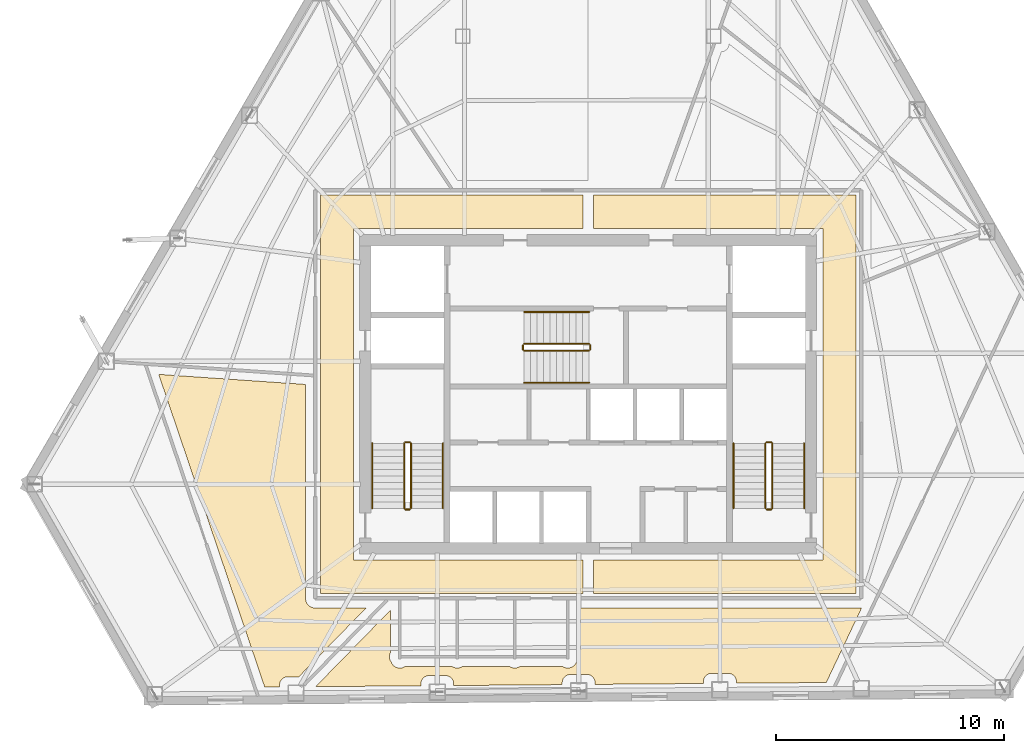
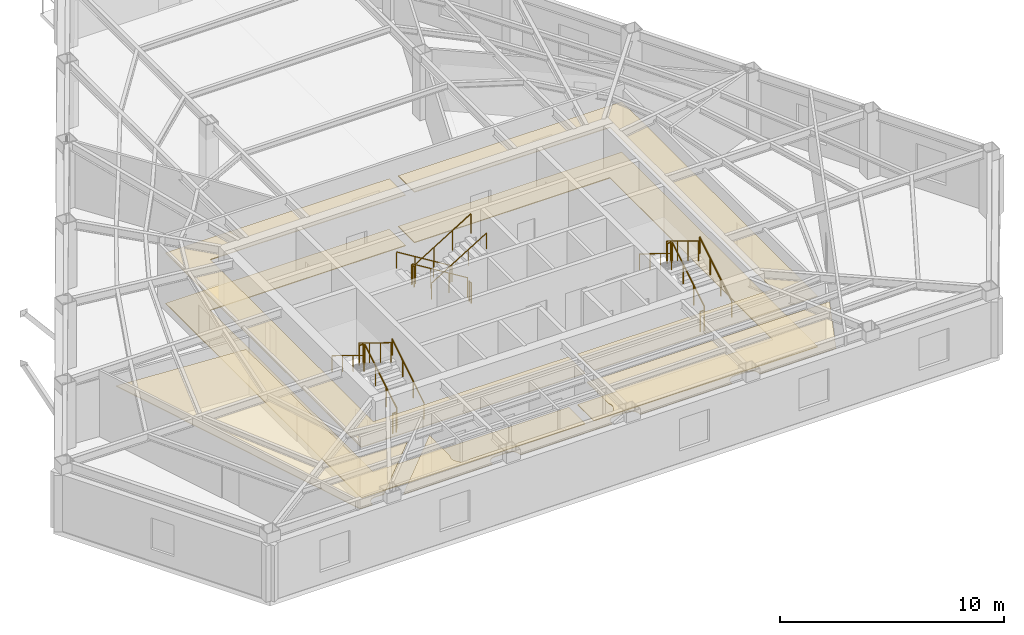
# One storey, part 11 of 12: 18 railings, 6 coverings.
"""IFC4 building model written with IfcOpenShell, lengths in metres."""

from ifc_helpers import new_model, si_unit, direction, frame, origin, origin_2d, place, context, subcontext, project, spatial, polyline, circle, outline, extrude, material, layer, layer_set, type_object, element, save


model = new_model("IFC4")

# Units and contexts
model_context = context("Model", 3, precision=1e-05, world=origin(), true_north=direction((0.0, 1.0)))
body_context = subcontext(model_context, "Body", "Model", "MODEL_VIEW")
ifc_project = project(units=[si_unit("LENGTHUNIT", "METRE"), si_unit("AREAUNIT", "SQUARE_METRE"), si_unit("VOLUMEUNIT", "CUBIC_METRE"), si_unit("PLANEANGLEUNIT", "RADIAN"), si_unit("MASSUNIT", "GRAM", prefix="KILO")], contexts=[model_context])

# Site, building, storey
site_placement = place(None, origin())
site = spatial("IfcSite", under=ifc_project, at=site_placement, CompositionType="ELEMENT")
building_placement = place(site_placement, origin())
building = spatial("IfcBuilding", under=site, at=building_placement, Name="Kavelnor Concourse Tower", CompositionType="ELEMENT")
storey_placement = place(building_placement, frame((0.0, 0.0, 147.10009765625)))
storey = spatial("IfcBuildingStorey", under=building, at=storey_placement, Name="L37", CompositionType="ELEMENT", Elevation=147.10009765625)

# Coverings
ifc_material_1 = material(Name="Mineral fibre acoustic ceiling tile")
ifc_layer_1 = layer(ifc_material_1, 0.0400390625, Name="Mineral fibre acoustic ceiling tile")
ifc_layer_set_1 = layer_set([ifc_layer_1], Name="Mineral fibre acoustic ceiling tile")
covering_type_1 = type_object("IfcCoveringType", Name="COV-CEILING-ACOUSTIC", PredefinedType="CEILING", material=ifc_layer_set_1)
covering_1_placement = place(storey_placement, frame((0.0, 0.0, 2.75)))
element("IfcCovering", 1, at=covering_1_placement, inside=storey, type_object=covering_type_1, Name="L37 Suspended Acoustic Ceiling", PredefinedType="CEILING", context=body_context, shape_type="SweptSolid", body=[
    extrude(outline(polyline([(26.25, 7.3701171875), (26.25, 24.830078125), (37.77490234375, 24.830078125), (37.77490234375, 23.3701171875), (27.7099609375, 23.3701171875), (27.7099609375, 8.830078125), (37.77490234375, 8.830078125), (37.77490234375, 7.3701171875), (26.25, 7.3701171875)])), origin(), (0.0, 0.0, 1.0), 0.039794921875),
])
covering_2_placement = place(storey_placement, frame((0.0, 0.0, 2.75)))
element("IfcCovering", 2, at=covering_2_placement, inside=storey, type_object=covering_type_1, Name="L37 Suspended Acoustic Ceiling", PredefinedType="CEILING", context=body_context, shape_type="SweptSolid", body=[
    extrude(outline(polyline([(49.75, 7.3701171875), (38.22509765625, 7.3701171875), (38.22509765625, 8.830078125), (48.2900390625, 8.830078125), (48.2900390625, 23.3701171875), (38.22509765625, 23.3701171875), (38.22509765625, 24.830078125), (49.75, 24.830078125), (49.75, 7.3701171875)])), origin(), (0.0, 0.0, 1.0), 0.039794921875),
])
covering_3_placement = place(storey_placement, frame((0.0, 0.0, 2.75)))
element("IfcCovering", 3, at=covering_3_placement, inside=storey, type_object=covering_type_1, Name="L37 Suspended Acoustic Ceiling", PredefinedType="CEILING", context=body_context, shape_type="SweptSolid", body=[
    extrude(outline(polyline([(25.609130859375, 7.1083984375), (25.615234375, 7.0673828125), (25.625244140625, 7.027099609375), (25.639404296875, 6.98828125), (25.656982421875, 6.95068359375), (25.678466796875, 6.9150390625), (25.703125, 6.881591796875), (25.73095703125, 6.85107421875), (25.76171875, 6.822998046875), (25.794921875, 6.79833984375), (25.83056640625, 6.777099609375), (25.8681640625, 6.75927734375), (25.9072265625, 6.745361328125), (25.947509765625, 6.735107421875), (25.988525390625, 6.72900390625), (26.021728515625, 6.7275390625), (28.2568359375, 6.7275390625), (25.31005859375, 3.71337890625), (24.818115234375, 3.71337890625), (24.791259765625, 3.7119140625), (24.756103515625, 3.706787109375), (24.721923828125, 3.6982421875), (24.688720703125, 3.686279296875), (24.656494140625, 3.671142578125), (24.626220703125, 3.653076171875), (24.597900390625, 3.6318359375), (24.57177734375, 3.608154296875), (24.5478515625, 3.581787109375), (24.52685546875, 3.553466796875), (24.508544921875, 3.523193359375), (24.493408203125, 3.4912109375), (24.481689453125, 3.4580078125), (24.472900390625, 3.423583984375), (24.4677734375, 3.388671875), (24.466552734375, 3.361572265625), (24.466552734375, 3.267578125), (23.814208984375, 3.26220703125), (19.166015625, 16.9736328125), (25.607421875, 16.53271484375), (25.607421875, 7.1416015625), (25.609130859375, 7.1083984375)])), origin(), (0.0, 0.0, 1.0), 0.039794921875),
])
covering_4_placement = place(storey_placement, frame((0.0, 0.0, 2.75)))
element("IfcCovering", 4, at=covering_4_placement, inside=storey, type_object=covering_type_1, Name="L37 Suspended Acoustic Ceiling", PredefinedType="CEILING", context=body_context, shape_type="SweptSolid", body=[
    extrude(outline(polyline([(29.3349609375, 6.64306640625), (29.3349609375, 4.79541015625), (29.33251953125, 4.791015625), (29.3154296875, 4.755126953125), (29.302001953125, 4.7177734375), (29.29248046875, 4.67919921875), (29.28662109375, 4.6396484375), (29.28466796875, 4.60009765625), (29.28662109375, 4.560302734375), (29.29248046875, 4.52099609375), (29.302001953125, 4.482421875), (29.3154296875, 4.44482421875), (29.33251953125, 4.408935546875), (29.352783203125, 4.374755859375), (29.3564453125, 4.3701171875), (29.365478515625, 4.344970703125), (29.382568359375, 4.308837890625), (29.40283203125, 4.27490234375), (29.426513671875, 4.242919921875), (29.453369140625, 4.21337890625), (29.48291015625, 4.1865234375), (29.514892578125, 4.162841796875), (29.548828125, 4.142578125), (29.5849609375, 4.12548828125), (29.622314453125, 4.112060546875), (29.660888671875, 4.102294921875), (29.7001953125, 4.096435546875), (29.739990234375, 4.094482421875), (29.77978515625, 4.096435546875), (29.819091796875, 4.102294921875), (29.857666015625, 4.112060546875), (29.89501953125, 4.12548828125), (29.93115234375, 4.142578125), (29.96044921875, 4.159912109375), (32.03955078125, 4.159912109375), (32.06884765625, 4.142578125), (32.10498046875, 4.12548828125), (32.142333984375, 4.112060546875), (32.180908203125, 4.102294921875), (32.22021484375, 4.096435546875), (32.260009765625, 4.094482421875), (32.2998046875, 4.096435546875), (32.339111328125, 4.102294921875), (32.377685546875, 4.112060546875), (32.4150390625, 4.12548828125), (32.451171875, 4.142578125), (32.48046875, 4.159912109375), (34.5595703125, 4.159912109375), (34.5888671875, 4.142578125), (34.625, 4.12548828125), (34.662353515625, 4.112060546875), (34.700927734375, 4.102294921875), (34.740234375, 4.096435546875), (34.780029296875, 4.094482421875), (34.819580078125, 4.096435546875), (34.859130859375, 4.102294921875), (34.897705078125, 4.112060546875), (34.93505859375, 4.12548828125), (34.97119140625, 4.142578125), (35.00048828125, 4.159912109375), (36.879638671875, 4.159912109375), (36.908935546875, 4.142578125), (36.94482421875, 4.12548828125), (36.982421875, 4.112060546875), (37.02099609375, 4.102294921875), (37.060302734375, 4.096435546875), (37.10009765625, 4.094482421875), (37.1396484375, 4.096435546875), (37.17919921875, 4.102294921875), (37.2177734375, 4.112060546875), (37.255126953125, 4.12548828125), (37.291015625, 4.142578125), (37.3251953125, 4.162841796875), (37.357177734375, 4.1865234375), (37.38671875, 4.21337890625), (37.413330078125, 4.242919921875), (37.43701171875, 4.27490234375), (37.45751953125, 4.308837890625), (37.474609375, 4.344970703125), (37.4833984375, 4.3701171875), (37.487060546875, 4.374755859375), (37.507568359375, 4.408935546875), (37.524658203125, 4.44482421875), (37.5380859375, 4.482421875), (37.547607421875, 4.52099609375), (37.553466796875, 4.560302734375), (37.555419921875, 4.60009765625), (37.553466796875, 4.6396484375), (37.547607421875, 4.67919921875), (37.5380859375, 4.7177734375), (37.524658203125, 4.755126953125), (37.507568359375, 4.791015625), (37.5048828125, 4.79541015625), (37.5048828125, 6.7275390625), (49.978271484375, 6.7275390625), (49.985595703125, 6.727783203125), (48.43896484375, 3.4609375), (44.495361328125, 3.42919921875), (44.495361328125, 3.51171875), (44.494140625, 3.53857421875), (44.489013671875, 3.573486328125), (44.480224609375, 3.60791015625), (44.468505859375, 3.64111328125), (44.453369140625, 3.673095703125), (44.43505859375, 3.70361328125), (44.4140625, 3.73193359375), (44.39013671875, 3.758056640625), (44.364013671875, 3.781982421875), (44.335693359375, 3.802978515625), (44.305419921875, 3.8212890625), (44.273193359375, 3.836181640625), (44.239990234375, 3.84814453125), (44.205810546875, 3.856689453125), (44.170654296875, 3.862060546875), (44.143798828125, 3.86328125), (43.406982421875, 3.86328125), (43.380126953125, 3.862060546875), (43.34521484375, 3.856689453125), (43.310791015625, 3.84814453125), (43.277587890625, 3.836181640625), (43.24560546875, 3.8212890625), (43.215087890625, 3.802978515625), (43.186767578125, 3.781982421875), (43.16064453125, 3.758056640625), (43.13671875, 3.73193359375), (43.11572265625, 3.70361328125), (43.097412109375, 3.673095703125), (43.08251953125, 3.64111328125), (43.070556640625, 3.60791015625), (43.06201171875, 3.573486328125), (43.056640625, 3.53857421875), (43.055419921875, 3.51171875), (43.055419921875, 3.41748046875), (38.299072265625, 3.379150390625), (38.299072265625, 3.461669921875), (38.2978515625, 3.488525390625), (38.29248046875, 3.523681640625), (38.283935546875, 3.557861328125), (38.272216796875, 3.59130859375), (38.257080078125, 3.623291015625), (38.23876953125, 3.653564453125), (38.2177734375, 3.681884765625), (38.19384765625, 3.7080078125), (38.167724609375, 3.73193359375), (38.139404296875, 3.7529296875), (38.10888671875, 3.771240234375), (38.076904296875, 3.786376953125), (38.043701171875, 3.798095703125), (38.009521484375, 3.806884765625), (37.974365234375, 3.81201171875), (37.947509765625, 3.813232421875), (37.210693359375, 3.813232421875), (37.183837890625, 3.81201171875), (37.148681640625, 3.806884765625), (37.114501953125, 3.798095703125), (37.081298828125, 3.786376953125), (37.04931640625, 3.771240234375), (37.018798828125, 3.7529296875), (36.990478515625, 3.73193359375), (36.96435546875, 3.7080078125), (36.9404296875, 3.681884765625), (36.91943359375, 3.653564453125), (36.901123046875, 3.623291015625), (36.885986328125, 3.59130859375), (36.874267578125, 3.557861328125), (36.865478515625, 3.523681640625), (36.8603515625, 3.488525390625), (36.859130859375, 3.461669921875), (36.859130859375, 3.367431640625), (32.102783203125, 3.3291015625), (32.102783203125, 3.41162109375), (32.1015625, 3.438720703125), (32.09619140625, 3.4736328125), (32.087646484375, 3.5078125), (32.07568359375, 3.541259765625), (32.060791015625, 3.5732421875), (32.04248046875, 3.603515625), (32.021484375, 3.6318359375), (31.99755859375, 3.658203125), (31.971435546875, 3.681884765625), (31.943115234375, 3.702880859375), (31.91259765625, 3.72119140625), (31.880615234375, 3.736328125), (31.847412109375, 3.748291015625), (31.81298828125, 3.7568359375), (31.778076171875, 3.761962890625), (31.751220703125, 3.76318359375), (31.014404296875, 3.76318359375), (30.987548828125, 3.761962890625), (30.952392578125, 3.7568359375), (30.918212890625, 3.748291015625), (30.885009765625, 3.736328125), (30.852783203125, 3.72119140625), (30.822509765625, 3.702880859375), (30.794189453125, 3.681884765625), (30.76806640625, 3.658203125), (30.744140625, 3.6318359375), (30.72314453125, 3.603515625), (30.704833984375, 3.5732421875), (30.689697265625, 3.541259765625), (30.677978515625, 3.5078125), (30.669189453125, 3.4736328125), (30.6640625, 3.438720703125), (30.662841796875, 3.41162109375), (30.662841796875, 3.3173828125), (26.04736328125, 3.2802734375), (29.3349609375, 6.64306640625)])), origin(), (0.0, 0.0, 1.0), 0.039794921875),
])
ifc_material_2 = material(Name="Honed bluestone and raised access floor finish", Category="masonry")
ifc_layer_2 = layer(ifc_material_2, 0.0400390625, Name="Honed bluestone and raised access floor finish")
ifc_layer_set_2 = layer_set([ifc_layer_2], Name="Honed bluestone and raised access floor finish")
covering_type_2 = type_object("IfcCoveringType", Name="COV-FLOOR-STONE", PredefinedType="FLOORING", material=ifc_layer_set_2)
covering_5_placement = place(storey_placement, frame((0.0, 0.0, 0.001953125)))
element("IfcCovering", 5, at=covering_5_placement, inside=storey, type_object=covering_type_2, Name="L37 Honed Bluestone Floor Finish", PredefinedType="FLOORING", context=body_context, shape_type="SweptSolid", body=[
    extrude(outline(polyline([(26.25, 7.3701171875), (26.25, 24.830078125), (37.77490234375, 24.830078125), (37.77490234375, 23.3701171875), (27.7099609375, 23.3701171875), (27.7099609375, 8.830078125), (37.77490234375, 8.830078125), (37.77490234375, 7.3701171875), (26.25, 7.3701171875)])), origin(), (0.0, 0.0, 1.0), 0.0400390625),
])
covering_6_placement = place(storey_placement, frame((0.0, 0.0, 0.001953125)))
element("IfcCovering", 6, at=covering_6_placement, inside=storey, type_object=covering_type_2, Name="L37 Honed Bluestone Floor Finish", PredefinedType="FLOORING", context=body_context, shape_type="SweptSolid", body=[
    extrude(outline(polyline([(49.75, 7.3701171875), (38.22509765625, 7.3701171875), (38.22509765625, 8.830078125), (48.2900390625, 8.830078125), (48.2900390625, 23.3701171875), (38.22509765625, 23.3701171875), (38.22509765625, 24.830078125), (49.75, 24.830078125), (49.75, 7.3701171875)])), origin(), (0.0, 0.0, 1.0), 0.0400390625),
])

# Railings
ifc_material_3 = material(Name="Steel Grade 350", Category="steel")
railing_type_1 = type_object("IfcRailingType", Name="RLG-GUARD-1100", PredefinedType="GUARDRAIL", material=ifc_material_3)
railing_1_placement = place(storey_placement, frame((30.22998046875, 11.10009765625, 0.1748046875)))
element("IfcRailing", 7, at=railing_1_placement, inside=storey, type_object=railing_type_1, Name="L37 ST1 stair guard 1", PredefinedType="GUARDRAIL", context=body_context, shape_type="SweptSolid", body=[
    extrude(circle(Radius=0.02392578125, at=origin_2d()), frame((0.0, 0.0, 1.076171875), z_axis=(0.0, 0.852159232446, 0.523282564737), x_axis=(-1.0, 0.0, 0.0)), (0.0, 0.0, 1.0), 3.34423828125),
    extrude(circle(Radius=0.02099609375, at=origin_2d()), origin(), (0.0, 0.0, 1.0), 1.052001953125),
    extrude(circle(Radius=0.02099609375, at=origin_2d()), frame((0.0, 0.949951171875, 0.583251953125)), (0.0, 0.0, 1.0), 1.052001953125),
    extrude(circle(Radius=0.02099609375, at=origin_2d()), frame((0.0, 1.89990234375, 1.166748046875)), (0.0, 0.0, 1.0), 1.052001953125),
    extrude(circle(Radius=0.02099609375, at=origin_2d()), frame((0.0, 2.849853515625, 1.75)), (0.0, 0.0, 1.0), 1.052001953125),
])
railing_2_placement = place(storey_placement, frame((30.179931640625, 14.0, 1.9248046875)))
element("IfcRailing", 8, at=railing_2_placement, inside=storey, type_object=railing_type_1, Name="L37 ST1 stair guard 2", PredefinedType="GUARDRAIL", context=body_context, shape_type="SweptSolid", body=[
    extrude(circle(Radius=0.02392578125, at=origin_2d()), frame((0.0, 0.0, 1.076171875), z_axis=(-1.0, 0.0, 0.0), x_axis=(0.0, -1.0, 0.0)), (0.0, 0.0, 1.0), 0.199951171875),
    extrude(circle(Radius=0.02099609375, at=origin_2d()), origin(), (0.0, 0.0, 1.0), 1.052001953125),
    extrude(circle(Radius=0.02099609375, at=origin_2d()), frame((-0.199951171875, 0.0, 0.0)), (0.0, 0.0, 1.0), 1.052001953125),
])
railing_3_placement = place(storey_placement, frame((29.929931640625, 13.949951171875, 2.099853515625)))
element("IfcRailing", 9, at=railing_3_placement, inside=storey, type_object=railing_type_1, Name="L37 ST1 stair guard 3", PredefinedType="GUARDRAIL", context=body_context, shape_type="SweptSolid", body=[
    extrude(circle(Radius=0.02392578125, at=origin_2d()), frame((0.0, 0.0, 1.076171875), z_axis=(0.0, -0.852159232446, 0.523282564737), x_axis=(1.0, 0.0, 0.0)), (0.0, 0.0, 1.0), 3.34423828125),
    extrude(circle(Radius=0.02099609375, at=origin_2d()), origin(), (0.0, 0.0, 1.0), 1.052001953125),
    extrude(circle(Radius=0.02099609375, at=origin_2d()), frame((0.0, -0.949951171875, 0.583251953125)), (0.0, 0.0, 1.0), 1.052001953125),
    extrude(circle(Radius=0.02099609375, at=origin_2d()), frame((0.0, -1.89990234375, 1.166748046875)), (0.0, 0.0, 1.0), 1.052001953125),
    extrude(circle(Radius=0.02099609375, at=origin_2d()), frame((0.0, -2.849853515625, 1.75)), (0.0, 0.0, 1.0), 1.052001953125),
])
railing_4_placement = place(storey_placement, frame((30.179931640625, 11.050048828125, 0.0)))
element("IfcRailing", 10, at=railing_4_placement, inside=storey, type_object=railing_type_1, Name="L37 ST1 stair guard 4", PredefinedType="GUARDRAIL", context=body_context, shape_type="SweptSolid", body=[
    extrude(circle(Radius=0.02392578125, at=origin_2d()), frame((0.0, 0.0, 1.076171875), z_axis=(-1.0, 0.0, 0.0), x_axis=(0.0, -1.0, 0.0)), (0.0, 0.0, 1.0), 0.199951171875),
    extrude(circle(Radius=0.02099609375, at=origin_2d()), origin(), (0.0, 0.0, 1.0), 1.052001953125),
    extrude(circle(Radius=0.02099609375, at=origin_2d()), frame((-0.199951171875, 0.0, 0.0)), (0.0, 0.0, 1.0), 1.052001953125),
])
railing_5_placement = place(storey_placement, frame((46.070068359375, 11.10009765625, 0.1748046875)))
element("IfcRailing", 11, at=railing_5_placement, inside=storey, type_object=railing_type_1, Name="L37 ST2 stair guard 1", PredefinedType="GUARDRAIL", context=body_context, shape_type="SweptSolid", body=[
    extrude(circle(Radius=0.02392578125, at=origin_2d()), frame((0.0, 0.0, 1.076171875), z_axis=(0.0, 0.852159232446, 0.523282564737), x_axis=(-1.0, 0.0, 0.0)), (0.0, 0.0, 1.0), 3.34423828125),
    extrude(circle(Radius=0.02099609375, at=origin_2d()), origin(), (0.0, 0.0, 1.0), 1.052001953125),
    extrude(circle(Radius=0.02099609375, at=origin_2d()), frame((0.0, 0.949951171875, 0.583251953125)), (0.0, 0.0, 1.0), 1.052001953125),
    extrude(circle(Radius=0.02099609375, at=origin_2d()), frame((0.0, 1.89990234375, 1.166748046875)), (0.0, 0.0, 1.0), 1.052001953125),
    extrude(circle(Radius=0.02099609375, at=origin_2d()), frame((0.0, 2.849853515625, 1.75)), (0.0, 0.0, 1.0), 1.052001953125),
])
railing_6_placement = place(storey_placement, frame((46.02001953125, 14.0, 1.9248046875)))
element("IfcRailing", 12, at=railing_6_placement, inside=storey, type_object=railing_type_1, Name="L37 ST2 stair guard 2", PredefinedType="GUARDRAIL", context=body_context, shape_type="SweptSolid", body=[
    extrude(circle(Radius=0.02392578125, at=origin_2d()), frame((0.0, 0.0, 1.076171875), z_axis=(-1.0, 0.0, 0.0), x_axis=(0.0, -1.0, 0.0)), (0.0, 0.0, 1.0), 0.199951171875),
    extrude(circle(Radius=0.02099609375, at=origin_2d()), origin(), (0.0, 0.0, 1.0), 1.052001953125),
    extrude(circle(Radius=0.02099609375, at=origin_2d()), frame((-0.199951171875, 0.0, 0.0)), (0.0, 0.0, 1.0), 1.052001953125),
])
railing_7_placement = place(storey_placement, frame((45.77001953125, 13.949951171875, 2.099853515625)))
element("IfcRailing", 13, at=railing_7_placement, inside=storey, type_object=railing_type_1, Name="L37 ST2 stair guard 3", PredefinedType="GUARDRAIL", context=body_context, shape_type="SweptSolid", body=[
    extrude(circle(Radius=0.02392578125, at=origin_2d()), frame((0.0, 0.0, 1.076171875), z_axis=(0.0, -0.852159232446, 0.523282564737), x_axis=(1.0, 0.0, 0.0)), (0.0, 0.0, 1.0), 3.34423828125),
    extrude(circle(Radius=0.02099609375, at=origin_2d()), origin(), (0.0, 0.0, 1.0), 1.052001953125),
    extrude(circle(Radius=0.02099609375, at=origin_2d()), frame((0.0, -0.949951171875, 0.583251953125)), (0.0, 0.0, 1.0), 1.052001953125),
    extrude(circle(Radius=0.02099609375, at=origin_2d()), frame((0.0, -1.89990234375, 1.166748046875)), (0.0, 0.0, 1.0), 1.052001953125),
    extrude(circle(Radius=0.02099609375, at=origin_2d()), frame((0.0, -2.849853515625, 1.75)), (0.0, 0.0, 1.0), 1.052001953125),
])
railing_8_placement = place(storey_placement, frame((46.02001953125, 11.050048828125, 0.0)))
element("IfcRailing", 14, at=railing_8_placement, inside=storey, type_object=railing_type_1, Name="L37 ST2 stair guard 4", PredefinedType="GUARDRAIL", context=body_context, shape_type="SweptSolid", body=[
    extrude(circle(Radius=0.02392578125, at=origin_2d()), frame((0.0, 0.0, 1.076171875), z_axis=(-1.0, 0.0, 0.0), x_axis=(0.0, -1.0, 0.0)), (0.0, 0.0, 1.0), 0.199951171875),
    extrude(circle(Radius=0.02099609375, at=origin_2d()), origin(), (0.0, 0.0, 1.0), 1.052001953125),
    extrude(circle(Radius=0.02099609375, at=origin_2d()), frame((-0.199951171875, 0.0, 0.0)), (0.0, 0.0, 1.0), 1.052001953125),
])
railing_9_placement = place(storey_placement, frame((38.0400390625, 18.31005859375, 0.1748046875)))
element("IfcRailing", 15, at=railing_9_placement, inside=storey, type_object=railing_type_1, Name="L37 ST3 stair guard 1", PredefinedType="GUARDRAIL", context=body_context, shape_type="SweptSolid", body=[
    extrude(circle(Radius=0.02392578125, at=origin_2d()), frame((0.0, 0.0, 1.076171875), z_axis=(-0.852179220489, 0.0, 0.52325001306), x_axis=(0.0, -1.0, 0.0)), (0.0, 0.0, 1.0), 3.344482421875),
    extrude(circle(Radius=0.02099609375, at=origin_2d()), origin(), (0.0, 0.0, 1.0), 1.052001953125),
    extrude(circle(Radius=0.02099609375, at=origin_2d()), frame((-0.949951171875, 0.0, 0.583251953125)), (0.0, 0.0, 1.0), 1.052001953125),
    extrude(circle(Radius=0.02099609375, at=origin_2d()), frame((-1.900146484375, 0.0, 1.166748046875)), (0.0, 0.0, 1.0), 1.052001953125),
    extrude(circle(Radius=0.02099609375, at=origin_2d()), frame((-2.85009765625, 0.0, 1.75)), (0.0, 0.0, 1.0), 1.052001953125),
])
railing_10_placement = place(storey_placement, frame((35.139892578125, 18.260009765625, 1.9248046875)))
element("IfcRailing", 16, at=railing_10_placement, inside=storey, type_object=railing_type_1, Name="L37 ST3 stair guard 2", PredefinedType="GUARDRAIL", context=body_context, shape_type="SweptSolid", body=[
    extrude(circle(Radius=0.02392578125, at=origin_2d()), frame((0.0, 0.0, 1.076171875), z_axis=(0.0, -1.0, 0.0), x_axis=(1.0, 0.0, 0.0)), (0.0, 0.0, 1.0), 0.199951171875),
    extrude(circle(Radius=0.02099609375, at=origin_2d()), origin(), (0.0, 0.0, 1.0), 1.052001953125),
    extrude(circle(Radius=0.02099609375, at=origin_2d()), frame((0.0, -0.199951171875, 0.0)), (0.0, 0.0, 1.0), 1.052001953125),
])
railing_11_placement = place(storey_placement, frame((35.18994140625, 18.010009765625, 2.099853515625)))
element("IfcRailing", 17, at=railing_11_placement, inside=storey, type_object=railing_type_1, Name="L37 ST3 stair guard 3", PredefinedType="GUARDRAIL", context=body_context, shape_type="SweptSolid", body=[
    extrude(circle(Radius=0.02392578125, at=origin_2d()), frame((0.0, 0.0, 1.076171875), z_axis=(0.852179220489, 0.0, 0.52325001306), x_axis=(0.0, 1.0, 0.0)), (0.0, 0.0, 1.0), 3.344482421875),
    extrude(circle(Radius=0.02099609375, at=origin_2d()), origin(), (0.0, 0.0, 1.0), 1.052001953125),
    extrude(circle(Radius=0.02099609375, at=origin_2d()), frame((0.949951171875, 0.0, 0.583251953125)), (0.0, 0.0, 1.0), 1.052001953125),
    extrude(circle(Radius=0.02099609375, at=origin_2d()), frame((1.900146484375, 0.0, 1.166748046875)), (0.0, 0.0, 1.0), 1.052001953125),
    extrude(circle(Radius=0.02099609375, at=origin_2d()), frame((2.85009765625, 0.0, 1.75)), (0.0, 0.0, 1.0), 1.052001953125),
])
railing_12_placement = place(storey_placement, frame((38.090087890625, 18.260009765625, 0.0)))
element("IfcRailing", 18, at=railing_12_placement, inside=storey, type_object=railing_type_1, Name="L37 ST3 stair guard 4", PredefinedType="GUARDRAIL", context=body_context, shape_type="SweptSolid", body=[
    extrude(circle(Radius=0.02392578125, at=origin_2d()), frame((0.0, 0.0, 1.076171875), z_axis=(0.0, -1.0, 0.0), x_axis=(1.0, 0.0, 0.0)), (0.0, 0.0, 1.0), 0.199951171875),
    extrude(circle(Radius=0.02099609375, at=origin_2d()), origin(), (0.0, 0.0, 1.0), 1.052001953125),
    extrude(circle(Radius=0.02099609375, at=origin_2d()), frame((0.0, -0.199951171875, 0.0)), (0.0, 0.0, 1.0), 1.052001953125),
])
railing_type_2 = type_object("IfcRailingType", Name="RLG-HANDRAIL-900", PredefinedType="HANDRAIL", material=ifc_material_3)
railing_13_placement = place(storey_placement, frame((31.6298828125, 11.10009765625, 0.1748046875)))
element("IfcRailing", 19, at=railing_13_placement, inside=storey, type_object=railing_type_2, Name="L37 ST1 stair handrail 1", PredefinedType="HANDRAIL", context=body_context, shape_type="SweptSolid", body=[
    extrude(circle(Radius=0.02392578125, at=origin_2d()), frame((0.0, 0.0, 0.8759765625), z_axis=(0.0, 0.852159232446, 0.523282564737), x_axis=(-1.0, 0.0, 0.0)), (0.0, 0.0, 1.0), 3.34423828125),
    extrude(circle(Radius=0.02099609375, at=origin_2d()), origin(), (0.0, 0.0, 1.0), 0.851806640625),
    extrude(circle(Radius=0.02099609375, at=origin_2d()), frame((0.0, 0.949951171875, 0.583251953125)), (0.0, 0.0, 1.0), 0.851806640625),
    extrude(circle(Radius=0.02099609375, at=origin_2d()), frame((0.0, 1.89990234375, 1.166748046875)), (0.0, 0.0, 1.0), 0.851806640625),
    extrude(circle(Radius=0.02099609375, at=origin_2d()), frame((0.0, 2.849853515625, 1.75)), (0.0, 0.0, 1.0), 0.851806640625),
])
railing_14_placement = place(storey_placement, frame((28.530029296875, 13.949951171875, 2.099853515625)))
element("IfcRailing", 20, at=railing_14_placement, inside=storey, type_object=railing_type_2, Name="L37 ST1 stair handrail 2", PredefinedType="HANDRAIL", context=body_context, shape_type="SweptSolid", body=[
    extrude(circle(Radius=0.02392578125, at=origin_2d()), frame((0.0, 0.0, 0.8759765625), z_axis=(0.0, -0.852159232446, 0.523282564737), x_axis=(1.0, 0.0, 0.0)), (0.0, 0.0, 1.0), 3.34423828125),
    extrude(circle(Radius=0.02099609375, at=origin_2d()), origin(), (0.0, 0.0, 1.0), 0.851806640625),
    extrude(circle(Radius=0.02099609375, at=origin_2d()), frame((0.0, -0.949951171875, 0.583251953125)), (0.0, 0.0, 1.0), 0.851806640625),
    extrude(circle(Radius=0.02099609375, at=origin_2d()), frame((0.0, -1.89990234375, 1.166748046875)), (0.0, 0.0, 1.0), 0.851806640625),
    extrude(circle(Radius=0.02099609375, at=origin_2d()), frame((0.0, -2.849853515625, 1.75)), (0.0, 0.0, 1.0), 0.851806640625),
])
railing_15_placement = place(storey_placement, frame((47.469970703125, 11.10009765625, 0.1748046875)))
element("IfcRailing", 21, at=railing_15_placement, inside=storey, type_object=railing_type_2, Name="L37 ST2 stair handrail 1", PredefinedType="HANDRAIL", context=body_context, shape_type="SweptSolid", body=[
    extrude(circle(Radius=0.02392578125, at=origin_2d()), frame((0.0, 0.0, 0.8759765625), z_axis=(0.0, 0.852159232446, 0.523282564737), x_axis=(-1.0, 0.0, 0.0)), (0.0, 0.0, 1.0), 3.34423828125),
    extrude(circle(Radius=0.02099609375, at=origin_2d()), origin(), (0.0, 0.0, 1.0), 0.851806640625),
    extrude(circle(Radius=0.02099609375, at=origin_2d()), frame((0.0, 0.949951171875, 0.583251953125)), (0.0, 0.0, 1.0), 0.851806640625),
    extrude(circle(Radius=0.02099609375, at=origin_2d()), frame((0.0, 1.89990234375, 1.166748046875)), (0.0, 0.0, 1.0), 0.851806640625),
    extrude(circle(Radius=0.02099609375, at=origin_2d()), frame((0.0, 2.849853515625, 1.75)), (0.0, 0.0, 1.0), 0.851806640625),
])
railing_16_placement = place(storey_placement, frame((44.3701171875, 13.949951171875, 2.099853515625)))
element("IfcRailing", 22, at=railing_16_placement, inside=storey, type_object=railing_type_2, Name="L37 ST2 stair handrail 2", PredefinedType="HANDRAIL", context=body_context, shape_type="SweptSolid", body=[
    extrude(circle(Radius=0.02392578125, at=origin_2d()), frame((0.0, 0.0, 0.8759765625), z_axis=(0.0, -0.852159232446, 0.523282564737), x_axis=(1.0, 0.0, 0.0)), (0.0, 0.0, 1.0), 3.34423828125),
    extrude(circle(Radius=0.02099609375, at=origin_2d()), origin(), (0.0, 0.0, 1.0), 0.851806640625),
    extrude(circle(Radius=0.02099609375, at=origin_2d()), frame((0.0, -0.949951171875, 0.583251953125)), (0.0, 0.0, 1.0), 0.851806640625),
    extrude(circle(Radius=0.02099609375, at=origin_2d()), frame((0.0, -1.89990234375, 1.166748046875)), (0.0, 0.0, 1.0), 0.851806640625),
    extrude(circle(Radius=0.02099609375, at=origin_2d()), frame((0.0, -2.849853515625, 1.75)), (0.0, 0.0, 1.0), 0.851806640625),
])
railing_17_placement = place(storey_placement, frame((38.0400390625, 19.7099609375, 0.1748046875)))
element("IfcRailing", 23, at=railing_17_placement, inside=storey, type_object=railing_type_2, Name="L37 ST3 stair handrail 1", PredefinedType="HANDRAIL", context=body_context, shape_type="SweptSolid", body=[
    extrude(circle(Radius=0.02392578125, at=origin_2d()), frame((0.0, 0.0, 0.8759765625), z_axis=(-0.852179220489, 0.0, 0.52325001306), x_axis=(0.0, -1.0, 0.0)), (0.0, 0.0, 1.0), 3.344482421875),
    extrude(circle(Radius=0.02099609375, at=origin_2d()), origin(), (0.0, 0.0, 1.0), 0.851806640625),
    extrude(circle(Radius=0.02099609375, at=origin_2d()), frame((-0.949951171875, 0.0, 0.583251953125)), (0.0, 0.0, 1.0), 0.851806640625),
    extrude(circle(Radius=0.02099609375, at=origin_2d()), frame((-1.900146484375, 0.0, 1.166748046875)), (0.0, 0.0, 1.0), 0.851806640625),
    extrude(circle(Radius=0.02099609375, at=origin_2d()), frame((-2.85009765625, 0.0, 1.75)), (0.0, 0.0, 1.0), 0.851806640625),
])
railing_18_placement = place(storey_placement, frame((35.18994140625, 16.610107421875, 2.099853515625)))
element("IfcRailing", 24, at=railing_18_placement, inside=storey, type_object=railing_type_2, Name="L37 ST3 stair handrail 2", PredefinedType="HANDRAIL", context=body_context, shape_type="SweptSolid", body=[
    extrude(circle(Radius=0.02392578125, at=origin_2d()), frame((0.0, 0.0, 0.8759765625), z_axis=(0.852179220489, 0.0, 0.52325001306), x_axis=(0.0, 1.0, 0.0)), (0.0, 0.0, 1.0), 3.344482421875),
    extrude(circle(Radius=0.02099609375, at=origin_2d()), origin(), (0.0, 0.0, 1.0), 0.851806640625),
    extrude(circle(Radius=0.02099609375, at=origin_2d()), frame((0.949951171875, 0.0, 0.583251953125)), (0.0, 0.0, 1.0), 0.851806640625),
    extrude(circle(Radius=0.02099609375, at=origin_2d()), frame((1.900146484375, 0.0, 1.166748046875)), (0.0, 0.0, 1.0), 0.851806640625),
    extrude(circle(Radius=0.02099609375, at=origin_2d()), frame((2.85009765625, 0.0, 1.75)), (0.0, 0.0, 1.0), 0.851806640625),
])

save(model, "model.ifc")
